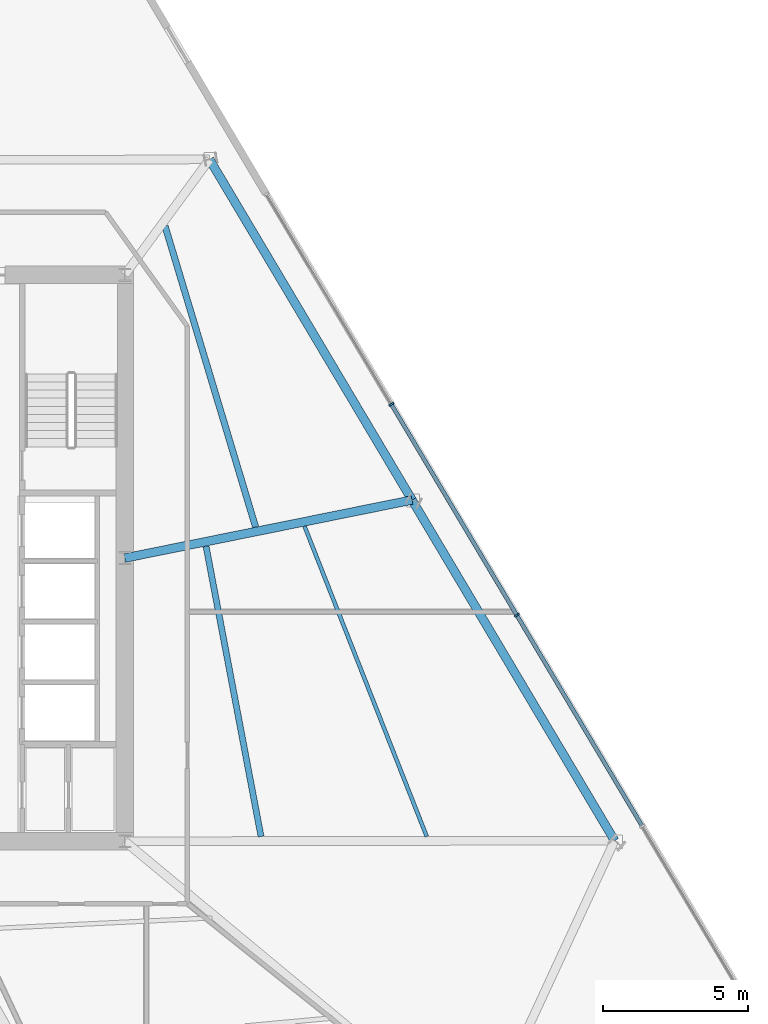
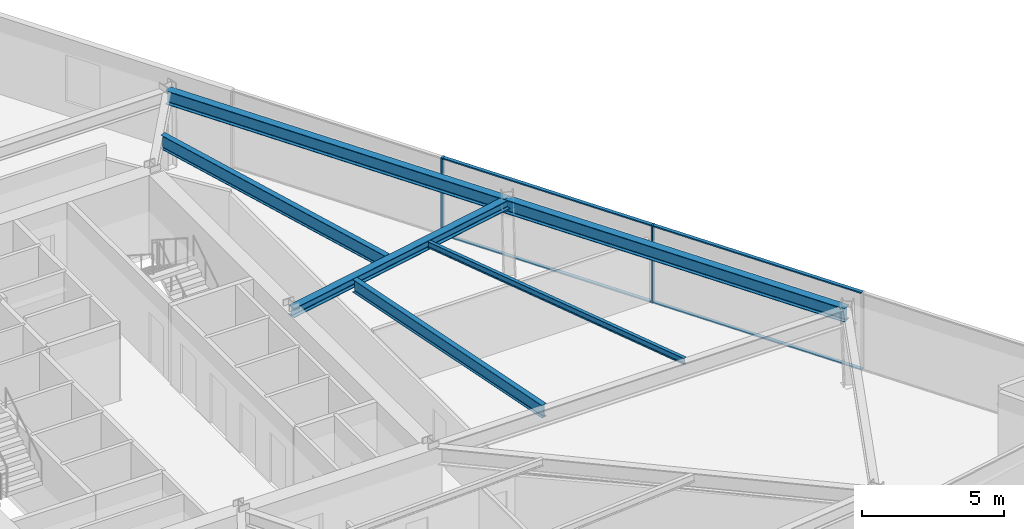
# One storey, part 6 of 18: 6 beams, 6 members, 1 element without a shape of its own.
"""IFC4 building model written with IfcOpenShell, lengths in metres."""

from ifc_helpers import new_model, si_unit, direction, frame, origin, origin_2d, place, context, subcontext, project, spatial, rectangle, i_section, extrude, material, material_profile, profile_set, type_object, element, aggregate, save


model = new_model("IFC4")

# Units and contexts
model_context = context("Model", 3, precision=1e-05, world=origin(), true_north=direction((0.0, 1.0)))
body_context = subcontext(model_context, "Body", "Model", "MODEL_VIEW")
ifc_project = project(units=[si_unit("LENGTHUNIT", "METRE"), si_unit("AREAUNIT", "SQUARE_METRE"), si_unit("VOLUMEUNIT", "CUBIC_METRE"), si_unit("PLANEANGLEUNIT", "RADIAN"), si_unit("MASSUNIT", "GRAM", prefix="KILO")], contexts=[model_context])

# Site, building, storey
site_placement = place(None, origin())
site = spatial("IfcSite", under=ifc_project, at=site_placement, CompositionType="ELEMENT")
building_placement = place(site_placement, origin())
building = spatial("IfcBuilding", under=site, at=building_placement, Name="Savorim Split Tower", CompositionType="ELEMENT")
storey_placement = place(building_placement, frame((0.0, 0.0, 44.39990234375)))
storey = spatial("IfcBuildingStorey", under=building, at=storey_placement, Name="L11", CompositionType="ELEMENT", Elevation=44.39990234375)

# Beams
ifc_material_1 = material(Name="Steel S355", Category="steel")
ifc_material_profile_1 = material_profile(ifc_material_1, i_section(OverallWidth=0.135009765625, OverallDepth=0.27001953125, WebThickness=0.006591796875, FlangeThickness=0.01025390625, FilletRadius=0.014892578125, at=origin_2d()), Name="IPE 270")
ifc_profile_set_1 = profile_set([ifc_material_profile_1], Name="Steel S355")
beam_type_1 = type_object("IfcBeamType", Name="BM-JST-IPE270", PredefinedType="JOIST", material=ifc_profile_set_1)
beam_1_placement = place(storey_placement, frame((18.1494140625, -9.2373046875, 3.215087890625), z_axis=(-0.366488989648, 0.930422388202, 0.0), x_axis=(-0.930422388202, -0.366488989648, 0.0)))
element("IfcBeam", 1, at=beam_1_placement, inside=storey, type_object=beam_type_1, Name="L11 Secondary Floor Joist JS-06", PredefinedType="JOIST", context=body_context, shape_type="SweptSolid", body=[
    extrude(i_section(OverallWidth=0.135009765625, OverallDepth=0.27001953125, WebThickness=0.006591796875, FlangeThickness=0.01025390625, FilletRadius=0.014892578125, at=origin_2d()), origin(), (0.0, 0.0, 1.0), 11.53662109375),
])
ifc_material_profile_2 = material_profile(ifc_material_1, i_section(OverallWidth=0.2099609375, OverallDepth=0.550048828125, WebThickness=0.010986328125, FlangeThickness=0.01708984375, FilletRadius=0.02392578125, at=origin_2d()), Name="IPE 550")
ifc_profile_set_2 = profile_set([ifc_material_profile_2], Name="Steel S355")
beam_type_2 = type_object("IfcBeamType", Name="BM-JST-IPE550", PredefinedType="JOIST", material=ifc_profile_set_2)
beam_2_placement = place(storey_placement, frame((12.415771484375, -9.236572265625, 3.0751953125), z_axis=(-0.186174631081, 0.982516669956, 0.0), x_axis=(-0.982516669956, -0.186174631081, 0.0)))
element("IfcBeam", 2, at=beam_2_placement, inside=storey, type_object=beam_type_2, Name="L11 Secondary Floor Joist JS-08", PredefinedType="JOIST", context=body_context, shape_type="SweptSolid", body=[
    extrude(i_section(OverallWidth=0.2099609375, OverallDepth=0.550048828125, WebThickness=0.010986328125, FlangeThickness=0.01708984375, FilletRadius=0.02392578125, at=origin_2d()), origin(), (0.0, 0.0, 1.0), 10.220703125),
])
ifc_material_profile_3 = material_profile(ifc_material_1, i_section(OverallWidth=0.219970703125, OverallDepth=0.60009765625, WebThickness=0.011962890625, FlangeThickness=0.01904296875, FilletRadius=0.02392578125, at=origin_2d()), Name="IPE 600")
ifc_profile_set_3 = profile_set([ifc_material_profile_3], Name="Steel S355")
beam_type_3 = type_object("IfcBeamType", Name="BM-JST-IPE600", PredefinedType="JOIST", material=ifc_profile_set_3)
beam_3_placement = place(storey_placement, frame((12.226318359375, 1.477294921875, 3.050048828125), z_axis=(-0.288157693885, 0.957582969489, 0.0), x_axis=(-0.957582969489, -0.288157693885, 0.0)))
element("IfcBeam", 3, at=beam_3_placement, inside=storey, type_object=beam_type_3, Name="L11 Secondary Floor Joist JS-07", PredefinedType="JOIST", context=body_context, shape_type="SweptSolid", body=[
    extrude(i_section(OverallWidth=0.219970703125, OverallDepth=0.60009765625, WebThickness=0.011962890625, FlangeThickness=0.01904296875, FilletRadius=0.02392578125, at=origin_2d()), origin(), (0.0, 0.0, 1.0), 10.868408203125),
])
ifc_material_profile_4 = material_profile(ifc_material_1, i_section(OverallWidth=0.300048828125, OverallDepth=0.39990234375, WebThickness=0.013427734375, FlangeThickness=0.02392578125, FilletRadius=0.027099609375, at=origin_2d()), Name="HEB 400")
ifc_profile_set_4 = profile_set([ifc_material_profile_4], Name="Steel S355")
beam_type_4 = type_object("IfcBeamType", Name="BM-PRI-HEB400", PredefinedType="BEAM", material=ifc_profile_set_4)
beam_4_placement = place(storey_placement, frame((17.639892578125, 2.408935546875, 3.150146484375), z_axis=(-0.980179560042, -0.198111155858, 0.0), x_axis=(0.198111155858, -0.980179560042, 0.0)))
element("IfcBeam", 4, at=beam_4_placement, inside=storey, type_object=beam_type_4, Name="L11 Primary Floor Girder RG-06", PredefinedType="BEAM", context=body_context, shape_type="SweptSolid", body=[
    extrude(i_section(OverallWidth=0.300048828125, OverallDepth=0.39990234375, WebThickness=0.013427734375, FlangeThickness=0.02392578125, FilletRadius=0.027099609375, at=origin_2d()), origin(), (0.0, 0.0, 1.0), 10.140869140625),
])
ifc_material_profile_5 = material_profile(ifc_material_1, i_section(OverallWidth=0.300048828125, OverallDepth=0.590087890625, WebThickness=0.012939453125, FlangeThickness=0.02490234375, FilletRadius=0.027099609375, at=origin_2d()), Name="HEA 600")
ifc_profile_set_5 = profile_set([ifc_material_profile_5], Name="Steel S355")
beam_type_5 = type_object("IfcBeamType", Name="BM-SPN-HEA600", PredefinedType="SPANDREL", material=ifc_profile_set_5)
beam_5_placement = place(storey_placement, frame((24.648681640625, -9.377685546875, 3.05517578125), z_axis=(-0.511103832132, 0.859518977556, 0.0), x_axis=(-0.859518977556, -0.511103832132, 0.0)))
element("IfcBeam", 5, at=beam_5_placement, inside=storey, type_object=beam_type_5, Name="L11 Perimeter Spandrel Beam 5", PredefinedType="SPANDREL", context=body_context, shape_type="SweptSolid", body=[
    extrude(i_section(OverallWidth=0.300048828125, OverallDepth=0.590087890625, WebThickness=0.012939453125, FlangeThickness=0.02490234375, FilletRadius=0.027099609375, at=origin_2d()), origin(), (0.0, 0.0, 1.0), 13.713134765625),
])
beam_6_placement = place(storey_placement, frame((17.639892578125, 2.408935546875, 3.05517578125), z_axis=(-0.511085347014, 0.859529969267, 0.0), x_axis=(-0.859529969267, -0.511085347014, 0.0)))
element("IfcBeam", 6, at=beam_6_placement, inside=storey, type_object=beam_type_5, Name="L11 Perimeter Spandrel Beam 6", PredefinedType="SPANDREL", context=body_context, shape_type="SweptSolid", body=[
    extrude(i_section(OverallWidth=0.300048828125, OverallDepth=0.590087890625, WebThickness=0.012939453125, FlangeThickness=0.02490234375, FilletRadius=0.027099609375, at=origin_2d()), origin(), (0.0, 0.0, 1.0), 13.712646484375),
])

# Curtain wall, members
ifc_material_2 = material(Name="Dark Ceramic-Fritted Insulated Glass", Category="glass")
curtain_wall_type = type_object("IfcCurtainWallType", Name="CW-TWR-FRIT-A", PredefinedType="NOTDEFINED", material=ifc_material_2)
curtain_wall_placement = place(storey_placement, origin())
curtain_wall = element("IfcCurtainWall", 7, at=curtain_wall_placement, inside=storey, type_object=curtain_wall_type, Name="L11 Curtain Wall CW-L11-EAST", PredefinedType="NOTDEFINED")
ifc_material_3 = material(Name="Charcoal Anodised Aluminium", Category="aluminium")
ifc_material_profile_6 = material_profile(ifc_material_3, rectangle(XDim=0.179931640625, YDim=0.06494140625, at=origin_2d()), Name="ALU-M 180x65")
ifc_profile_set_6 = profile_set([ifc_material_profile_6], Name="Charcoal Anodised Aluminium")
member_type_1 = type_object("IfcMemberType", Name="CWM-180x65", PredefinedType="MULLION", material=ifc_profile_set_6)
member_1_placement = place(storey_placement, frame((21.263916015625, -1.5791015625, 0.0), z_axis=(0.0, 0.0, 1.0), x_axis=(-0.859525752007, -0.511092439425, 0.0)))
member_1 = element("IfcMember", 8, at=member_1_placement, type_object=member_type_1, Name="CW-02 mullion 3", PredefinedType="MULLION", context=body_context, shape_type="SweptSolid", body=[
    extrude(rectangle(XDim=0.179931640625, YDim=0.06494140625, at=origin_2d()), origin(), (0.0, 0.0, 1.0), 3.35009765625),
])
member_2_placement = place(storey_placement, frame((16.92333984375, 5.72021484375, 0.0), z_axis=(0.0, 0.0, 1.0), x_axis=(-0.859525752007, -0.511092439425, 0.0)))
member_2 = element("IfcMember", 9, at=member_2_placement, type_object=member_type_1, Name="CW-02 mullion 4", PredefinedType="MULLION", context=body_context, shape_type="SweptSolid", body=[
    extrude(rectangle(XDim=0.179931640625, YDim=0.06494140625, at=origin_2d()), origin(), (0.0, 0.0, 1.0), 3.35009765625),
])
ifc_material_profile_7 = material_profile(ifc_material_3, rectangle(XDim=0.139892578125, YDim=0.054931640625, at=origin_2d()), Name="ALU-T 140x55")
ifc_profile_set_7 = profile_set([ifc_material_profile_7], Name="Charcoal Anodised Aluminium")
member_type_2 = type_object("IfcMemberType", Name="CWT-140x55", PredefinedType="USERDEFINED", material=ifc_profile_set_7)
member_3_placement = place(storey_placement, frame((25.587646484375, -8.8505859375, 0.027587890625), z_axis=(-0.511096217662, 0.859523505375, 0.0), x_axis=(-0.859523505375, -0.511096217662, 0.0)))
member_3 = element("IfcMember", 10, at=member_3_placement, type_object=member_type_2, Name="CW-02 transom 2.1", ObjectType="TRANSOM", PredefinedType="USERDEFINED", context=body_context, shape_type="SweptSolid", body=[
    extrude(rectangle(XDim=0.139892578125, YDim=0.054931640625, at=origin_2d()), origin(), (0.0, 0.0, 1.0), 8.42724609375),
])
member_4_placement = place(storey_placement, frame((25.587646484375, -8.8505859375, 3.322509765625), z_axis=(-0.511096217662, 0.859523505375, 0.0), x_axis=(-0.859523505375, -0.511096217662, 0.0)))
member_4 = element("IfcMember", 11, at=member_4_placement, type_object=member_type_2, Name="CW-02 transom 2.2", ObjectType="TRANSOM", PredefinedType="USERDEFINED", context=body_context, shape_type="SweptSolid", body=[
    extrude(rectangle(XDim=0.139892578125, YDim=0.054931640625, at=origin_2d()), origin(), (0.0, 0.0, 1.0), 8.42724609375),
])
member_5_placement = place(storey_placement, frame((21.2470703125, -1.55126953125, 0.027587890625), z_axis=(-0.511096217662, 0.859523505375, 0.0), x_axis=(-0.859523505375, -0.511096217662, 0.0)))
member_5 = element("IfcMember", 12, at=member_5_placement, type_object=member_type_2, Name="CW-02 transom 3.1", ObjectType="TRANSOM", PredefinedType="USERDEFINED", context=body_context, shape_type="SweptSolid", body=[
    extrude(rectangle(XDim=0.139892578125, YDim=0.054931640625, at=origin_2d()), origin(), (0.0, 0.0, 1.0), 8.42724609375),
])
member_6_placement = place(storey_placement, frame((21.2470703125, -1.55126953125, 3.322509765625), z_axis=(-0.511096217662, 0.859523505375, 0.0), x_axis=(-0.859523505375, -0.511096217662, 0.0)))
member_6 = element("IfcMember", 13, at=member_6_placement, type_object=member_type_2, Name="CW-02 transom 3.2", ObjectType="TRANSOM", PredefinedType="USERDEFINED", context=body_context, shape_type="SweptSolid", body=[
    extrude(rectangle(XDim=0.139892578125, YDim=0.054931640625, at=origin_2d()), origin(), (0.0, 0.0, 1.0), 8.42724609375),
])
aggregate(curtain_wall, [member_1, member_2, member_3, member_4, member_5, member_6])

save(model, "model.ifc")
